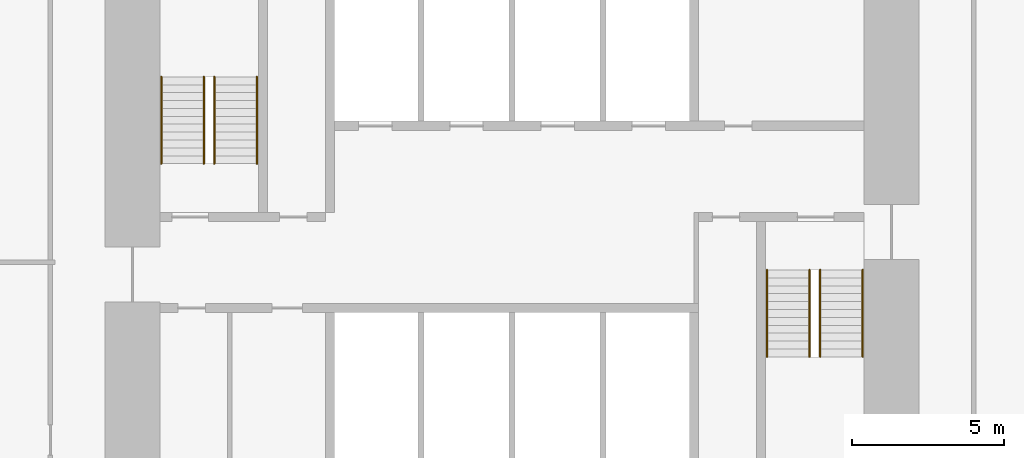
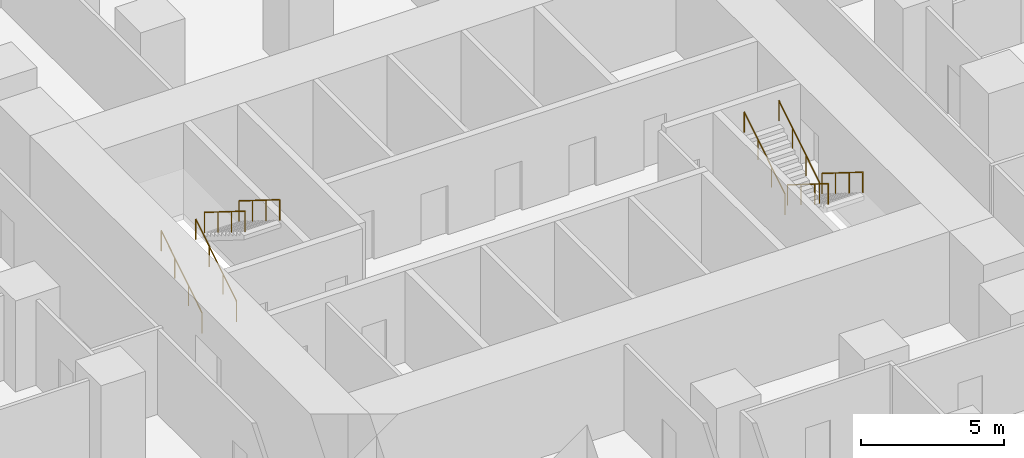
# One storey, part 12 of 12: 8 railings.
"""IFC4 building model written with IfcOpenShell, lengths in metres."""

from ifc_helpers import new_model, si_unit, direction, frame, origin, origin_2d, place, context, subcontext, project, spatial, circle, extrude, material, type_object, element, save


model = new_model("IFC4")

# Units and contexts
model_context = context("Model", 3, precision=1e-05, world=origin(), true_north=direction((0.0, 1.0)))
body_context = subcontext(model_context, "Body", "Model", "MODEL_VIEW")
ifc_project = project(units=[si_unit("LENGTHUNIT", "METRE"), si_unit("AREAUNIT", "SQUARE_METRE"), si_unit("VOLUMEUNIT", "CUBIC_METRE"), si_unit("PLANEANGLEUNIT", "RADIAN"), si_unit("MASSUNIT", "GRAM", prefix="KILO")], contexts=[model_context])

# Site, building, storey
site_placement = place(None, origin())
site = spatial("IfcSite", under=ifc_project, at=site_placement, CompositionType="ELEMENT")
building_placement = place(site_placement, origin())
building = spatial("IfcBuilding", under=site, at=building_placement, Name="Highveld Stack Headquarters", CompositionType="ELEMENT")
storey_placement = place(building_placement, frame((0.0, 0.0, 76.699951171875)))
storey = spatial("IfcBuildingStorey", under=building, at=storey_placement, Name="L18", CompositionType="ELEMENT", Elevation=76.699951171875)

# Railings
ifc_material = material(Name="Stainless steel handrail", Category="steel")
railing_type = type_object("IfcRailingType", Name="STAIR HANDRAIL HR1 900", PredefinedType="HANDRAIL", material=ifc_material)
for number, where, name in (
    (1, (-5.550048828125, 4.75, 0.16259765625), "Handrail S1 L18 flight 1"),
    (2, (-4.14990234375, 4.75, 0.16259765625), "Handrail S1 L18 flight 1"),
):
    element("IfcRailing", number, at=place(storey_placement, frame(where)), inside=storey, type_object=railing_type, Name=name, PredefinedType="HANDRAIL", context=body_context, shape_type="SweptSolid", body=[
        extrude(circle(Radius=0.02392578125, at=origin_2d()), frame((0.0, 0.0, 0.8759765625), z_axis=(0.0, 0.848026770018, 0.529953391661), x_axis=(-1.0, 0.0, 0.0)), (0.0, 0.0, 1.0), 3.37255859375),
        extrude(circle(Radius=0.02099609375, at=origin_2d()), origin(), (0.0, 0.0, 1.0), 0.851806640625),
        extrude(circle(Radius=0.02099609375, at=origin_2d()), frame((0.0, 0.953369140625, 0.595703125)), (0.0, 0.0, 1.0), 0.851806640625),
        extrude(circle(Radius=0.02099609375, at=origin_2d()), frame((0.0, 1.90673828125, 1.191650390625)), (0.0, 0.0, 1.0), 0.851806640625),
        extrude(circle(Radius=0.02099609375, at=origin_2d()), frame((0.0, 2.860107421875, 1.787353515625)), (0.0, 0.0, 1.0), 0.851806640625),
    ])
for number, where, name in (
    (3, (-3.800048828125, 7.610107421875, 2.112548828125), "Handrail S1 L18 flight 2"),
    (4, (-2.39990234375, 7.610107421875, 2.112548828125), "Handrail S1 L18 flight 2"),
):
    element("IfcRailing", number, at=place(storey_placement, frame(where)), inside=storey, type_object=railing_type, Name=name, PredefinedType="HANDRAIL", context=body_context, shape_type="SweptSolid", body=[
        extrude(circle(Radius=0.02392578125, at=origin_2d()), frame((0.0, 0.0, 0.8759765625), z_axis=(0.0, -0.847994237388, 0.530005446535), x_axis=(1.0, 0.0, 0.0)), (0.0, 0.0, 1.0), 3.372802734375),
        extrude(circle(Radius=0.02099609375, at=origin_2d()), origin(), (0.0, 0.0, 1.0), 0.851806640625),
        extrude(circle(Radius=0.02099609375, at=origin_2d()), frame((0.0, -0.953369140625, 0.595947265625)), (0.0, 0.0, 1.0), 0.851806640625),
        extrude(circle(Radius=0.02099609375, at=origin_2d()), frame((0.0, -1.90673828125, 1.191650390625)), (0.0, 0.0, 1.0), 0.851806640625),
        extrude(circle(Radius=0.02099609375, at=origin_2d()), frame((0.0, -2.860107421875, 1.78759765625)), (0.0, 0.0, 1.0), 0.851806640625),
    ])
for number, where, name in (
    (5, (16.14990234375, 1.25, 0.16259765625), "Handrail S2 L18 flight 1"),
    (6, (17.550048828125, 1.25, 0.16259765625), "Handrail S2 L18 flight 1"),
):
    element("IfcRailing", number, at=place(storey_placement, frame(where)), inside=storey, type_object=railing_type, Name=name, PredefinedType="HANDRAIL", context=body_context, shape_type="SweptSolid", body=[
        extrude(circle(Radius=0.02392578125, at=origin_2d()), frame((0.0, 0.0, 0.8759765625), z_axis=(0.0, -0.848026770018, 0.529953391661), x_axis=(1.0, 0.0, 0.0)), (0.0, 0.0, 1.0), 3.37255859375),
        extrude(circle(Radius=0.02099609375, at=origin_2d()), origin(), (0.0, 0.0, 1.0), 0.851806640625),
        extrude(circle(Radius=0.02099609375, at=origin_2d()), frame((0.0, -0.953369140625, 0.595703125)), (0.0, 0.0, 1.0), 0.851806640625),
        extrude(circle(Radius=0.02099609375, at=origin_2d()), frame((0.0, -1.90673828125, 1.191650390625)), (0.0, 0.0, 1.0), 0.851806640625),
        extrude(circle(Radius=0.02099609375, at=origin_2d()), frame((0.0, -2.860107421875, 1.787353515625)), (0.0, 0.0, 1.0), 0.851806640625),
    ])
for number, where, name in (
    (7, (14.39990234375, -1.610107421875, 2.112548828125), "Handrail S2 L18 flight 2"),
    (8, (15.800048828125, -1.610107421875, 2.112548828125), "Handrail S2 L18 flight 2"),
):
    element("IfcRailing", number, at=place(storey_placement, frame(where)), inside=storey, type_object=railing_type, Name=name, PredefinedType="HANDRAIL", context=body_context, shape_type="SweptSolid", body=[
        extrude(circle(Radius=0.02392578125, at=origin_2d()), frame((0.0, 0.0, 0.8759765625), z_axis=(0.0, 0.847994237388, 0.530005446535), x_axis=(-1.0, 0.0, 0.0)), (0.0, 0.0, 1.0), 3.372802734375),
        extrude(circle(Radius=0.02099609375, at=origin_2d()), origin(), (0.0, 0.0, 1.0), 0.851806640625),
        extrude(circle(Radius=0.02099609375, at=origin_2d()), frame((0.0, 0.953369140625, 0.595947265625)), (0.0, 0.0, 1.0), 0.851806640625),
        extrude(circle(Radius=0.02099609375, at=origin_2d()), frame((0.0, 1.90673828125, 1.191650390625)), (0.0, 0.0, 1.0), 0.851806640625),
        extrude(circle(Radius=0.02099609375, at=origin_2d()), frame((0.0, 2.860107421875, 1.78759765625)), (0.0, 0.0, 1.0), 0.851806640625),
    ])

save(model, "model.ifc")
